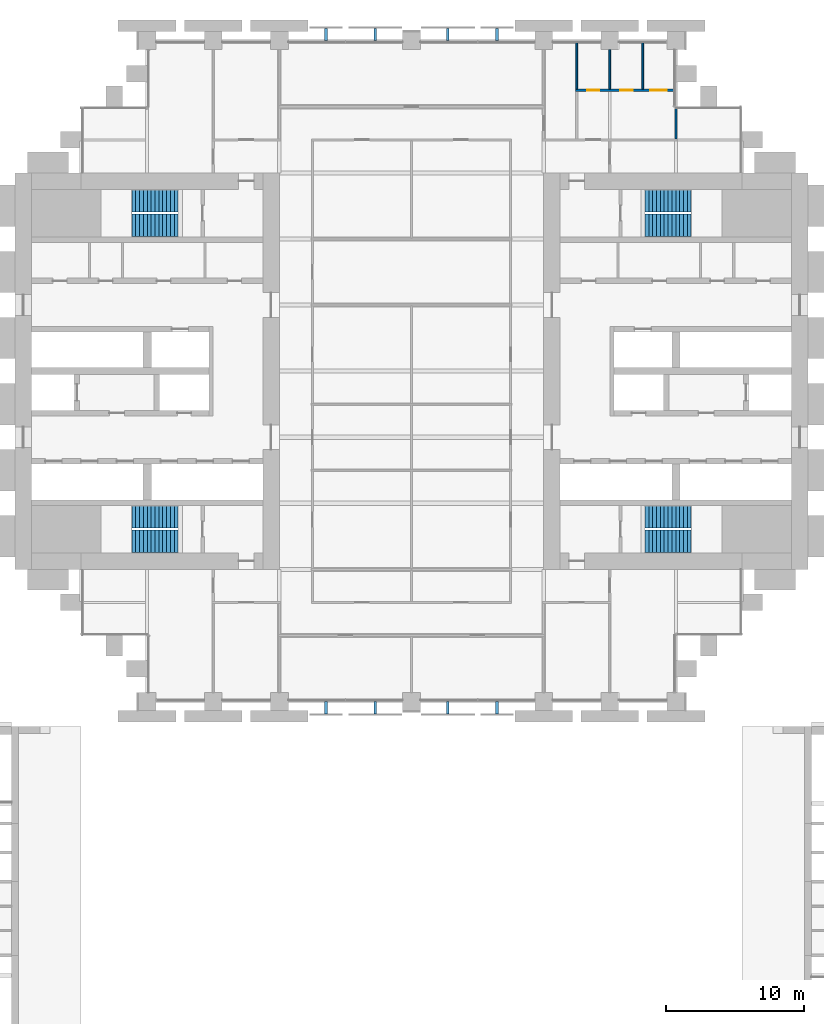
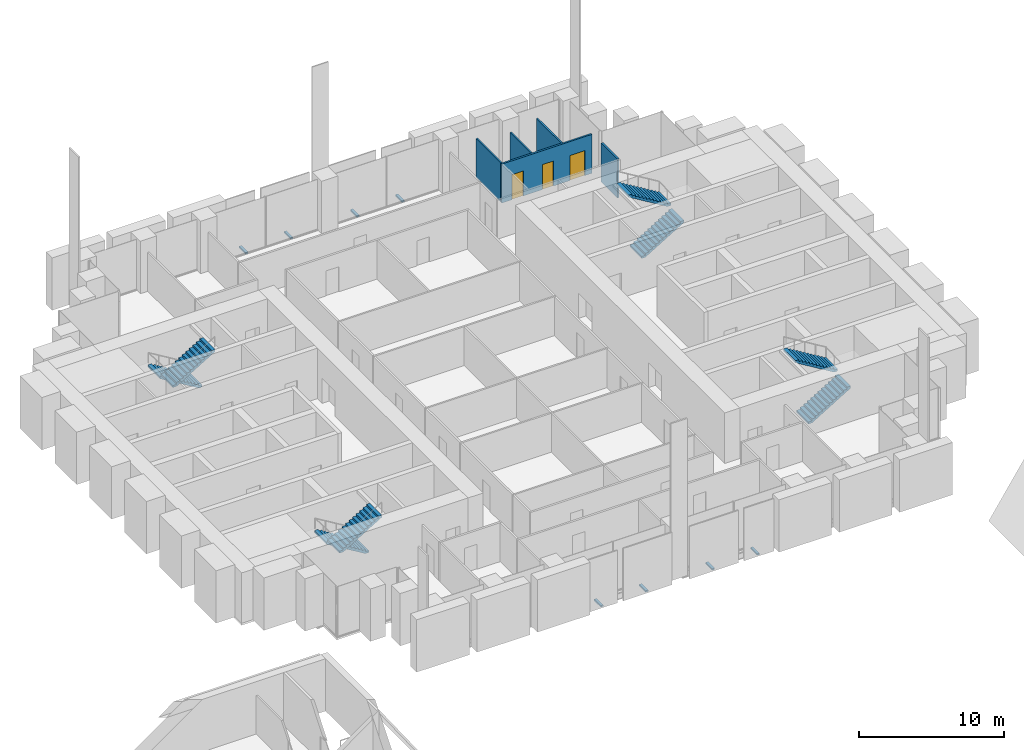
# One storey, part 21 of 22: 8 discrete accessories, 8 stair flights, 5 walls, 3 doors, 3 openings, 4 elements without a shape of their own.
"""IFC4 building model written with IfcOpenShell, lengths in metres."""

from ifc_helpers import new_model, si_unit, direction, frame, frame_2d, origin, origin_2d, place, context, subcontext, project, spatial, polyline, rectangle, outline, extrude, material, layer, layer_set, type_object, element, fill, aggregate, save


model = new_model("IFC4")

# Units and contexts
model_context = context("Model", 3, precision=1e-05, world=origin(), true_north=direction((0.0, 1.0)))
body_context = subcontext(model_context, "Body", "Model", "MODEL_VIEW")
ifc_project = project(units=[si_unit("LENGTHUNIT", "METRE"), si_unit("AREAUNIT", "SQUARE_METRE"), si_unit("VOLUMEUNIT", "CUBIC_METRE"), si_unit("PLANEANGLEUNIT", "RADIAN"), si_unit("MASSUNIT", "GRAM", prefix="KILO")], contexts=[model_context])

# Site, building, storey
site_placement = place(None, origin())
site = spatial("IfcSite", under=ifc_project, at=site_placement, CompositionType="ELEMENT")
building_placement = place(site_placement, origin())
building = spatial("IfcBuilding", under=site, at=building_placement, Name="Baori Bourse Tower", CompositionType="ELEMENT")
storey_placement = place(building_placement, frame((0.0, 0.0, 25.800048828125)))
storey = spatial("IfcBuildingStorey", under=building, at=storey_placement, Name="L04", CompositionType="ELEMENT", Elevation=25.800048828125)

# Wall, openings, doors
ifc_material_1 = material(Name="Gypsum board partition")
ifc_layer_1 = layer(ifc_material_1, 0.14990234375)
ifc_layer_set_1 = layer_set([ifc_layer_1], Name="Corridor partition 150")
wall_type_1 = type_object("IfcWallType", Name="Corridor partition 150", PredefinedType="PARTITIONING", material=ifc_layer_set_1)
wall_1_placement = place(storey_placement, frame((40.72509765625, 44.39990234375, 0.0), z_axis=(0.0, 0.0, 1.0), x_axis=(1.0, 0.0, 0.0)))
wall_1 = element("IfcWall", 1, at=wall_1_placement, inside=storey, type_object=wall_type_1, Name="Partition", PredefinedType="PARTITIONING", context=body_context, shape_type="SweptSolid", body=[
    extrude(rectangle(XDim=7.1748046875, YDim=0.14990234375, at=frame_2d((3.58740234375, 0.0))), origin(), (0.0, 0.0, 1.0), 3.269775390625),
])
opening_1_placement = place(wall_1_placement, frame((0.824951171875, 0.0, 0.0)))
opening_1 = element("IfcOpeningElement", 2, at=opening_1_placement, cuts=wall_1, Name="Opening L04-D12", PredefinedType="OPENING", context=body_context, shape_type="SweptSolid", body=[
    extrude(rectangle(XDim=0.89990234375, YDim=2.10009765625, at=frame_2d((0.449951171875, 1.050048828125))), frame((0.0, 0.0849609375, 0.0), z_axis=(0.0, -1.0, 0.0), x_axis=(1.0, 0.0, 0.0)), (0.0, 0.0, 1.0), 0.169921875),
])
opening_2_placement = place(wall_1_placement, frame((3.22509765625, 0.0, 0.0)))
opening_2 = element("IfcOpeningElement", 3, at=opening_2_placement, cuts=wall_1, Name="Opening L04-D13", PredefinedType="OPENING", context=body_context, shape_type="SweptSolid", body=[
    extrude(rectangle(XDim=0.89990234375, YDim=2.10009765625, at=frame_2d((0.449951171875, 1.050048828125))), frame((0.0, 0.0849609375, 0.0), z_axis=(0.0, -1.0, 0.0), x_axis=(1.0, 0.0, 0.0)), (0.0, 0.0, 1.0), 0.169921875),
])
opening_3_placement = place(wall_1_placement, frame((5.425048828125, 0.0, 0.0)))
opening_3 = element("IfcOpeningElement", 4, at=opening_3_placement, cuts=wall_1, Name="Opening L04-D14", PredefinedType="OPENING", context=body_context, shape_type="SweptSolid", body=[
    extrude(rectangle(XDim=1.199951171875, YDim=2.10009765625, at=frame_2d((0.60009765625, 1.050048828125))), frame((0.0, 0.0849609375, 0.0), z_axis=(0.0, -1.0, 0.0), x_axis=(1.0, 0.0, 0.0)), (0.0, 0.0, 1.0), 0.169921875),
])
ifc_material_2 = material(Name="Timber door leaf", Category="wood")
door_type_1 = type_object("IfcDoorType", Name="Door 1200 x 2100", OperationType="SINGLE_SWING_LEFT", PredefinedType="DOOR", material=ifc_material_2)
door_1_placement = place(opening_3_placement, origin())
door_1 = element("IfcDoor", 5, at=door_1_placement, inside=storey, type_object=door_type_1, Name="Door", OperationType="SINGLE_SWING_LEFT", OverallHeight=2.10009765625, OverallWidth=1.199951171875, PredefinedType="DOOR", context=body_context, shape_type="SweptSolid", body=[
    extrude(rectangle(XDim=1.199951171875, YDim=2.10009765625, at=frame_2d((0.60009765625, 1.050048828125))), frame((0.0, 0.02490234375, 0.0), z_axis=(0.0, -1.0, 0.0), x_axis=(1.0, 0.0, 0.0)), (0.0, 0.0, 1.0), 0.050048828125),
])
fill(opening_3, door_1)
ifc_material_3 = material(Name="Timber door leaf", Category="wood")
door_type_2 = type_object("IfcDoorType", Name="Door 900 x 2100", OperationType="SINGLE_SWING_LEFT", PredefinedType="DOOR", material=ifc_material_3)
door_2_placement = place(opening_1_placement, origin())
door_2 = element("IfcDoor", 6, at=door_2_placement, inside=storey, type_object=door_type_2, Name="Door", OperationType="SINGLE_SWING_RIGHT", OverallHeight=2.10009765625, OverallWidth=0.89990234375, PredefinedType="DOOR", context=body_context, shape_type="SweptSolid", body=[
    extrude(rectangle(XDim=0.89990234375, YDim=2.10009765625, at=frame_2d((0.449951171875, 1.050048828125))), frame((0.0, 0.02490234375, 0.0), z_axis=(0.0, -1.0, 0.0), x_axis=(1.0, 0.0, 0.0)), (0.0, 0.0, 1.0), 0.050048828125),
])
fill(opening_1, door_2)
door_3_placement = place(opening_2_placement, origin())
door_3 = element("IfcDoor", 7, at=door_3_placement, inside=storey, type_object=door_type_2, Name="Door", OperationType="SINGLE_SWING_LEFT", OverallHeight=2.10009765625, OverallWidth=0.89990234375, PredefinedType="DOOR", context=body_context, shape_type="SweptSolid", body=[
    extrude(rectangle(XDim=0.89990234375, YDim=2.10009765625, at=frame_2d((0.449951171875, 1.050048828125))), frame((0.0, 0.02490234375, 0.0), z_axis=(0.0, -1.0, 0.0), x_axis=(1.0, 0.0, 0.0)), (0.0, 0.0, 1.0), 0.050048828125),
])
fill(opening_2, door_3)

# Walls
wall_2_placement = place(storey_placement, frame((48.0, 40.875, 0.0), z_axis=(0.0, 0.0, 1.0), x_axis=(0.0, 1.0, 0.0)))
element("IfcWall", 8, at=wall_2_placement, inside=storey, type_object=wall_type_1, Name="Partition", PredefinedType="PARTITIONING", context=body_context, shape_type="SweptSolid", body=[
    extrude(rectangle(XDim=2.22509765625, YDim=0.14990234375, at=frame_2d((1.112548828125, 0.0))), origin(), (0.0, 0.0, 1.0), 3.269775390625),
])
ifc_material_4 = material(Name="Gypsum board partition")
ifc_layer_2 = layer(ifc_material_4, 0.125)
ifc_layer_set_2 = layer_set([ifc_layer_2], Name="Partition 125")
wall_type_2 = type_object("IfcWallType", Name="Partition 125", PredefinedType="PARTITIONING", material=ifc_layer_set_2)
wall_3_placement = place(storey_placement, frame((40.800048828125, 44.47509765625, 0.0), z_axis=(0.0, 0.0, 1.0), x_axis=(0.0, 1.0, 0.0)))
element("IfcWall", 9, at=wall_3_placement, inside=storey, type_object=wall_type_2, Name="Partition", PredefinedType="PARTITIONING", context=body_context, shape_type="SweptSolid", body=[
    extrude(rectangle(XDim=3.4248046875, YDim=0.125, at=frame_2d((1.71240234375, 0.0))), origin(), (0.0, 0.0, 1.0), 3.269775390625),
])
wall_4_placement = place(storey_placement, frame((43.199951171875, 44.47509765625, 0.0), z_axis=(0.0, 0.0, 1.0), x_axis=(0.0, 1.0, 0.0)))
element("IfcWall", 10, at=wall_4_placement, inside=storey, type_object=wall_type_2, Name="Partition", PredefinedType="PARTITIONING", context=body_context, shape_type="SweptSolid", body=[
    extrude(rectangle(XDim=2.875, YDim=0.125, at=frame_2d((1.4375, 0.0))), origin(), (0.0, 0.0, 1.0), 3.269775390625),
])
wall_5_placement = place(storey_placement, frame((45.60009765625, 44.47509765625, 0.0), z_axis=(0.0, 0.0, 1.0), x_axis=(0.0, 1.0, 0.0)))
element("IfcWall", 11, at=wall_5_placement, inside=storey, type_object=wall_type_2, Name="Partition", PredefinedType="PARTITIONING", context=body_context, shape_type="SweptSolid", body=[
    extrude(rectangle(XDim=3.4248046875, YDim=0.125, at=frame_2d((1.71240234375, 0.0))), origin(), (0.0, 0.0, 1.0), 3.269775390625),
])

# Stair, stair flights
ifc_material_5 = material(Name="Concrete f'c 50 MPa", Category="concrete")
stair_type = type_object("IfcStairType", Name="Core stair", PredefinedType="HALF_TURN_STAIR", material=ifc_material_5)
stair_1_placement = place(storey_placement, origin())
stair_1 = element("IfcStair", 12, at=stair_1_placement, inside=storey, type_object=stair_type, Name="L04 Stair WA", PredefinedType="HALF_TURN_STAIR")
ifc_material_6 = material(Name="Concrete f'c 50 MPa", Category="concrete")
stair_flight_type = type_object("IfcStairFlightType", Name="Core stair flight", PredefinedType="STRAIGHT", material=ifc_material_6)
stair_flight_1_placement = place(storey_placement, frame((11.85009765625, 13.425048828125, 0.0), z_axis=(0.0, 0.0, 1.0), x_axis=(-1.0, 0.0, 0.0)))
stair_flight_1 = element("IfcStairFlight", 13, at=stair_flight_1_placement, type_object=stair_flight_type, Name="ST1 flight 1", NumberOfRisers=13, NumberOfTreads=12, PredefinedType="STRAIGHT", RiserHeight=0.169230769, TreadLength=0.28, context=body_context, shape_type="SweptSolid", body=[
    extrude(outline(polyline([(0.0, 0.0), (0.0, 0.169189453125), (0.280029296875, 0.169189453125), (0.280029296875, 0.33837890625), (0.56005859375, 0.33837890625), (0.56005859375, 0.5078125), (0.840087890625, 0.5078125), (0.840087890625, 0.677001953125), (1.1201171875, 0.677001953125), (1.1201171875, 0.84619140625), (1.39990234375, 0.84619140625), (1.39990234375, 1.015380859375), (1.679931640625, 1.015380859375), (1.679931640625, 1.1845703125), (1.9599609375, 1.1845703125), (1.9599609375, 1.353759765625), (2.239990234375, 1.353759765625), (2.239990234375, 1.523193359375), (2.52001953125, 1.523193359375), (2.52001953125, 1.6923828125), (2.800048828125, 1.6923828125), (2.800048828125, 1.861572265625), (3.080078125, 1.861572265625), (3.080078125, 2.03076171875), (3.360107421875, 2.03076171875), (3.360107421875, 2.199951171875), (3.360107421875, 1.855712890625), (0.289794921875, 0.0), (0.0, 0.0)])), frame((0.0, 0.824951171875, 0.0), z_axis=(0.0, -1.0, 0.0), x_axis=(1.0, 0.0, 0.0)), (0.0, 0.0, 1.0), 1.64990234375),
])
stair_flight_2_placement = place(storey_placement, frame((8.489990234375, 11.625, 2.199951171875), z_axis=(0.0, 0.0, 1.0), x_axis=(1.0, 0.0, 0.0)))
stair_flight_2 = element("IfcStairFlight", 14, at=stair_flight_2_placement, type_object=stair_flight_type, Name="ST1 flight 2", NumberOfRisers=13, NumberOfTreads=12, PredefinedType="STRAIGHT", RiserHeight=0.169230769, TreadLength=0.28, context=body_context, shape_type="SweptSolid", body=[
    extrude(outline(polyline([(0.0, 0.0), (0.0, 0.169189453125), (0.280029296875, 0.169189453125), (0.280029296875, 0.33837890625), (0.56005859375, 0.33837890625), (0.56005859375, 0.5078125), (0.840087890625, 0.5078125), (0.840087890625, 0.677001953125), (1.1201171875, 0.677001953125), (1.1201171875, 0.84619140625), (1.39990234375, 0.84619140625), (1.39990234375, 1.015380859375), (1.679931640625, 1.015380859375), (1.679931640625, 1.1845703125), (1.9599609375, 1.1845703125), (1.9599609375, 1.353759765625), (2.239990234375, 1.353759765625), (2.239990234375, 1.523193359375), (2.52001953125, 1.523193359375), (2.52001953125, 1.6923828125), (2.800048828125, 1.6923828125), (2.800048828125, 1.861572265625), (3.080078125, 1.861572265625), (3.080078125, 2.03076171875), (3.360107421875, 2.03076171875), (3.360107421875, 2.199951171875), (3.360107421875, 1.855712890625), (0.289794921875, 0.0), (0.0, 0.0)])), frame((0.0, 0.824951171875, 0.0), z_axis=(0.0, -1.0, 0.0), x_axis=(1.0, 0.0, 0.0)), (0.0, 0.0, 1.0), 1.64990234375),
])
aggregate(stair_1, [stair_flight_1, stair_flight_2])

stair_2_placement = place(storey_placement, origin())
stair_2 = element("IfcStair", 15, at=stair_2_placement, inside=storey, type_object=stair_type, Name="L04 Stair WB", PredefinedType="HALF_TURN_STAIR")
stair_flight_3_placement = place(storey_placement, frame((11.85009765625, 36.375, 0.0), z_axis=(0.0, 0.0, 1.0), x_axis=(-1.0, 0.0, 0.0)))
stair_flight_3 = element("IfcStairFlight", 16, at=stair_flight_3_placement, type_object=stair_flight_type, Name="ST2 flight 1", NumberOfRisers=13, NumberOfTreads=12, PredefinedType="STRAIGHT", RiserHeight=0.169230769, TreadLength=0.28, context=body_context, shape_type="SweptSolid", body=[
    extrude(outline(polyline([(0.0, 0.0), (0.0, 0.169189453125), (0.280029296875, 0.169189453125), (0.280029296875, 0.33837890625), (0.56005859375, 0.33837890625), (0.56005859375, 0.5078125), (0.840087890625, 0.5078125), (0.840087890625, 0.677001953125), (1.1201171875, 0.677001953125), (1.1201171875, 0.84619140625), (1.39990234375, 0.84619140625), (1.39990234375, 1.015380859375), (1.679931640625, 1.015380859375), (1.679931640625, 1.1845703125), (1.9599609375, 1.1845703125), (1.9599609375, 1.353759765625), (2.239990234375, 1.353759765625), (2.239990234375, 1.523193359375), (2.52001953125, 1.523193359375), (2.52001953125, 1.6923828125), (2.800048828125, 1.6923828125), (2.800048828125, 1.861572265625), (3.080078125, 1.861572265625), (3.080078125, 2.03076171875), (3.360107421875, 2.03076171875), (3.360107421875, 2.199951171875), (3.360107421875, 1.855712890625), (0.289794921875, 0.0), (0.0, 0.0)])), frame((0.0, 0.824951171875, 0.0), z_axis=(0.0, -1.0, 0.0), x_axis=(1.0, 0.0, 0.0)), (0.0, 0.0, 1.0), 1.64990234375),
])
stair_flight_4_placement = place(storey_placement, frame((8.489990234375, 34.574951171875, 2.199951171875), z_axis=(0.0, 0.0, 1.0), x_axis=(1.0, 0.0, 0.0)))
stair_flight_4 = element("IfcStairFlight", 17, at=stair_flight_4_placement, type_object=stair_flight_type, Name="ST2 flight 2", NumberOfRisers=13, NumberOfTreads=12, PredefinedType="STRAIGHT", RiserHeight=0.169230769, TreadLength=0.28, context=body_context, shape_type="SweptSolid", body=[
    extrude(outline(polyline([(0.0, 0.0), (0.0, 0.169189453125), (0.280029296875, 0.169189453125), (0.280029296875, 0.33837890625), (0.56005859375, 0.33837890625), (0.56005859375, 0.5078125), (0.840087890625, 0.5078125), (0.840087890625, 0.677001953125), (1.1201171875, 0.677001953125), (1.1201171875, 0.84619140625), (1.39990234375, 0.84619140625), (1.39990234375, 1.015380859375), (1.679931640625, 1.015380859375), (1.679931640625, 1.1845703125), (1.9599609375, 1.1845703125), (1.9599609375, 1.353759765625), (2.239990234375, 1.353759765625), (2.239990234375, 1.523193359375), (2.52001953125, 1.523193359375), (2.52001953125, 1.6923828125), (2.800048828125, 1.6923828125), (2.800048828125, 1.861572265625), (3.080078125, 1.861572265625), (3.080078125, 2.03076171875), (3.360107421875, 2.03076171875), (3.360107421875, 2.199951171875), (3.360107421875, 1.855712890625), (0.289794921875, 0.0), (0.0, 0.0)])), frame((0.0, 0.824951171875, 0.0), z_axis=(0.0, -1.0, 0.0), x_axis=(1.0, 0.0, 0.0)), (0.0, 0.0, 1.0), 1.64990234375),
])
aggregate(stair_2, [stair_flight_3, stair_flight_4])

stair_3_placement = place(storey_placement, origin())
stair_3 = element("IfcStair", 18, at=stair_3_placement, inside=storey, type_object=stair_type, Name="L04 Stair EA", PredefinedType="HALF_TURN_STAIR")
stair_flight_5_placement = place(storey_placement, frame((45.75, 11.625, 0.0), z_axis=(0.0, 0.0, 1.0), x_axis=(1.0, 0.0, 0.0)))
stair_flight_5 = element("IfcStairFlight", 19, at=stair_flight_5_placement, type_object=stair_flight_type, Name="ST3 flight 1", NumberOfRisers=13, NumberOfTreads=12, PredefinedType="STRAIGHT", RiserHeight=0.169230769, TreadLength=0.28, context=body_context, shape_type="SweptSolid", body=[
    extrude(outline(polyline([(0.0, 0.0), (0.0, 0.169189453125), (0.280029296875, 0.169189453125), (0.280029296875, 0.33837890625), (0.56005859375, 0.33837890625), (0.56005859375, 0.5078125), (0.840087890625, 0.5078125), (0.840087890625, 0.677001953125), (1.1201171875, 0.677001953125), (1.1201171875, 0.84619140625), (1.39990234375, 0.84619140625), (1.39990234375, 1.015380859375), (1.679931640625, 1.015380859375), (1.679931640625, 1.1845703125), (1.9599609375, 1.1845703125), (1.9599609375, 1.353759765625), (2.239990234375, 1.353759765625), (2.239990234375, 1.523193359375), (2.52001953125, 1.523193359375), (2.52001953125, 1.6923828125), (2.800048828125, 1.6923828125), (2.800048828125, 1.861572265625), (3.080078125, 1.861572265625), (3.080078125, 2.03076171875), (3.360107421875, 2.03076171875), (3.360107421875, 2.199951171875), (3.360107421875, 1.855712890625), (0.289794921875, 0.0), (0.0, 0.0)])), frame((0.0, 0.824951171875, 0.0), z_axis=(0.0, -1.0, 0.0), x_axis=(1.0, 0.0, 0.0)), (0.0, 0.0, 1.0), 1.64990234375),
])
stair_flight_6_placement = place(storey_placement, frame((49.110107421875, 13.425048828125, 2.199951171875), z_axis=(0.0, 0.0, 1.0), x_axis=(-1.0, 0.0, 0.0)))
stair_flight_6 = element("IfcStairFlight", 20, at=stair_flight_6_placement, type_object=stair_flight_type, Name="ST3 flight 2", NumberOfRisers=13, NumberOfTreads=12, PredefinedType="STRAIGHT", RiserHeight=0.169230769, TreadLength=0.28, context=body_context, shape_type="SweptSolid", body=[
    extrude(outline(polyline([(0.0, 0.0), (0.0, 0.169189453125), (0.280029296875, 0.169189453125), (0.280029296875, 0.33837890625), (0.56005859375, 0.33837890625), (0.56005859375, 0.5078125), (0.840087890625, 0.5078125), (0.840087890625, 0.677001953125), (1.1201171875, 0.677001953125), (1.1201171875, 0.84619140625), (1.39990234375, 0.84619140625), (1.39990234375, 1.015380859375), (1.679931640625, 1.015380859375), (1.679931640625, 1.1845703125), (1.9599609375, 1.1845703125), (1.9599609375, 1.353759765625), (2.239990234375, 1.353759765625), (2.239990234375, 1.523193359375), (2.52001953125, 1.523193359375), (2.52001953125, 1.6923828125), (2.800048828125, 1.6923828125), (2.800048828125, 1.861572265625), (3.080078125, 1.861572265625), (3.080078125, 2.03076171875), (3.360107421875, 2.03076171875), (3.360107421875, 2.199951171875), (3.360107421875, 1.855712890625), (0.289794921875, 0.0), (0.0, 0.0)])), frame((0.0, 0.824951171875, 0.0), z_axis=(0.0, -1.0, 0.0), x_axis=(1.0, 0.0, 0.0)), (0.0, 0.0, 1.0), 1.64990234375),
])
aggregate(stair_3, [stair_flight_5, stair_flight_6])

stair_4_placement = place(storey_placement, origin())
stair_4 = element("IfcStair", 21, at=stair_4_placement, inside=storey, type_object=stair_type, Name="L04 Stair EB", PredefinedType="HALF_TURN_STAIR")
stair_flight_7_placement = place(storey_placement, frame((45.75, 34.574951171875, 0.0), z_axis=(0.0, 0.0, 1.0), x_axis=(1.0, 0.0, 0.0)))
stair_flight_7 = element("IfcStairFlight", 22, at=stair_flight_7_placement, type_object=stair_flight_type, Name="ST4 flight 1", NumberOfRisers=13, NumberOfTreads=12, PredefinedType="STRAIGHT", RiserHeight=0.169230769, TreadLength=0.28, context=body_context, shape_type="SweptSolid", body=[
    extrude(outline(polyline([(0.0, 0.0), (0.0, 0.169189453125), (0.280029296875, 0.169189453125), (0.280029296875, 0.33837890625), (0.56005859375, 0.33837890625), (0.56005859375, 0.5078125), (0.840087890625, 0.5078125), (0.840087890625, 0.677001953125), (1.1201171875, 0.677001953125), (1.1201171875, 0.84619140625), (1.39990234375, 0.84619140625), (1.39990234375, 1.015380859375), (1.679931640625, 1.015380859375), (1.679931640625, 1.1845703125), (1.9599609375, 1.1845703125), (1.9599609375, 1.353759765625), (2.239990234375, 1.353759765625), (2.239990234375, 1.523193359375), (2.52001953125, 1.523193359375), (2.52001953125, 1.6923828125), (2.800048828125, 1.6923828125), (2.800048828125, 1.861572265625), (3.080078125, 1.861572265625), (3.080078125, 2.03076171875), (3.360107421875, 2.03076171875), (3.360107421875, 2.199951171875), (3.360107421875, 1.855712890625), (0.289794921875, 0.0), (0.0, 0.0)])), frame((0.0, 0.824951171875, 0.0), z_axis=(0.0, -1.0, 0.0), x_axis=(1.0, 0.0, 0.0)), (0.0, 0.0, 1.0), 1.64990234375),
])
stair_flight_8_placement = place(storey_placement, frame((49.110107421875, 36.375, 2.199951171875), z_axis=(0.0, 0.0, 1.0), x_axis=(-1.0, 0.0, 0.0)))
stair_flight_8 = element("IfcStairFlight", 23, at=stair_flight_8_placement, type_object=stair_flight_type, Name="ST4 flight 2", NumberOfRisers=13, NumberOfTreads=12, PredefinedType="STRAIGHT", RiserHeight=0.169230769, TreadLength=0.28, context=body_context, shape_type="SweptSolid", body=[
    extrude(outline(polyline([(0.0, 0.0), (0.0, 0.169189453125), (0.280029296875, 0.169189453125), (0.280029296875, 0.33837890625), (0.56005859375, 0.33837890625), (0.56005859375, 0.5078125), (0.840087890625, 0.5078125), (0.840087890625, 0.677001953125), (1.1201171875, 0.677001953125), (1.1201171875, 0.84619140625), (1.39990234375, 0.84619140625), (1.39990234375, 1.015380859375), (1.679931640625, 1.015380859375), (1.679931640625, 1.1845703125), (1.9599609375, 1.1845703125), (1.9599609375, 1.353759765625), (2.239990234375, 1.353759765625), (2.239990234375, 1.523193359375), (2.52001953125, 1.523193359375), (2.52001953125, 1.6923828125), (2.800048828125, 1.6923828125), (2.800048828125, 1.861572265625), (3.080078125, 1.861572265625), (3.080078125, 2.03076171875), (3.360107421875, 2.03076171875), (3.360107421875, 2.199951171875), (3.360107421875, 1.855712890625), (0.289794921875, 0.0), (0.0, 0.0)])), frame((0.0, 0.824951171875, 0.0), z_axis=(0.0, -1.0, 0.0), x_axis=(1.0, 0.0, 0.0)), (0.0, 0.0, 1.0), 1.64990234375),
])
aggregate(stair_4, [stair_flight_7, stair_flight_8])

# Discrete accessories
ifc_material_7 = material(Name="Pale anodised aluminium", Category="aluminium")
discrete_accessory_type = type_object("IfcDiscreteAccessoryType", Name="OS2 Outer skin bracket", PredefinedType="BRACKET", material=ifc_material_7)
for number, where, z_axis, x_axis, name in (
    (24, (35.012451171875, 48.449951171875, -0.14404296875), (0.0, 0.0, 1.0), (-1.0, 0.0, 0.0), "Outer skin bracket L04 1"),
    (25, (31.4375, 48.449951171875, -0.14404296875), (0.0, 0.0, 1.0), (-1.0, 0.0, 0.0), "Outer skin bracket L04 2"),
    (26, (26.16259765625, 48.449951171875, -0.14404296875), (0.0, 0.0, 1.0), (-1.0, 0.0, 0.0), "Outer skin bracket L04 3"),
    (27, (22.58740234375, 48.449951171875, -0.14404296875), (0.0, 0.0, 1.0), (-1.0, 0.0, 0.0), "Outer skin bracket L04 4"),
    (28, (22.58740234375, -0.449951171875, -0.14404296875), (0.0, 0.0, 1.0), (1.0, 0.0, 0.0), "Outer skin bracket L04 5"),
    (29, (26.16259765625, -0.449951171875, -0.14404296875), (0.0, 0.0, 1.0), (1.0, 0.0, 0.0), "Outer skin bracket L04 6"),
    (30, (31.4375, -0.449951171875, -0.14404296875), (0.0, 0.0, 1.0), (1.0, 0.0, 0.0), "Outer skin bracket L04 7"),
    (31, (35.012451171875, -0.449951171875, -0.14404296875), (0.0, 0.0, 1.0), (1.0, 0.0, 0.0), "Outer skin bracket L04 8"),
):
    element("IfcDiscreteAccessory", number, at=place(storey_placement, frame(where, z_axis=z_axis, x_axis=x_axis)), inside=storey, type_object=discrete_accessory_type, Name=name, PredefinedType="BRACKET", context=body_context, shape_type="SweptSolid", body=[
        extrude(rectangle(XDim=0.199951171875, YDim=0.89990234375, at=origin_2d()), origin(), (0.0, 0.0, 1.0), 0.1279296875),
    ])

save(model, "model.ifc")
